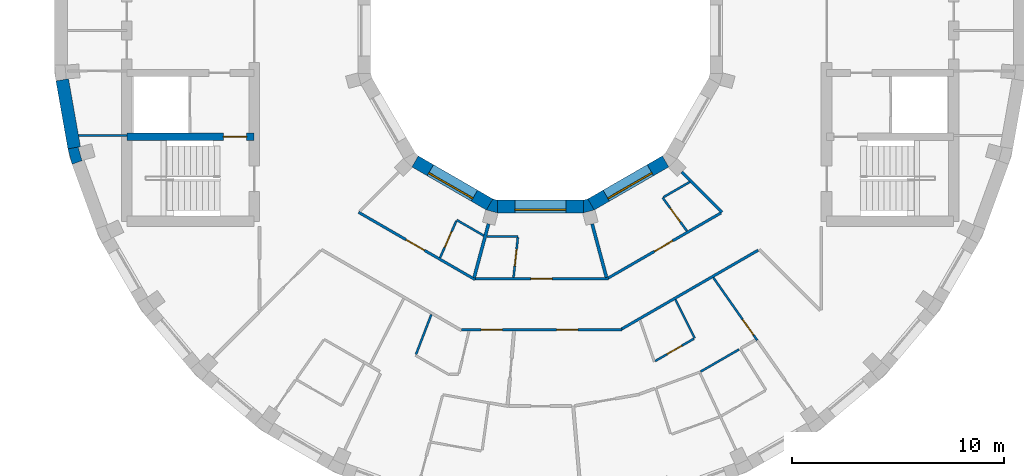
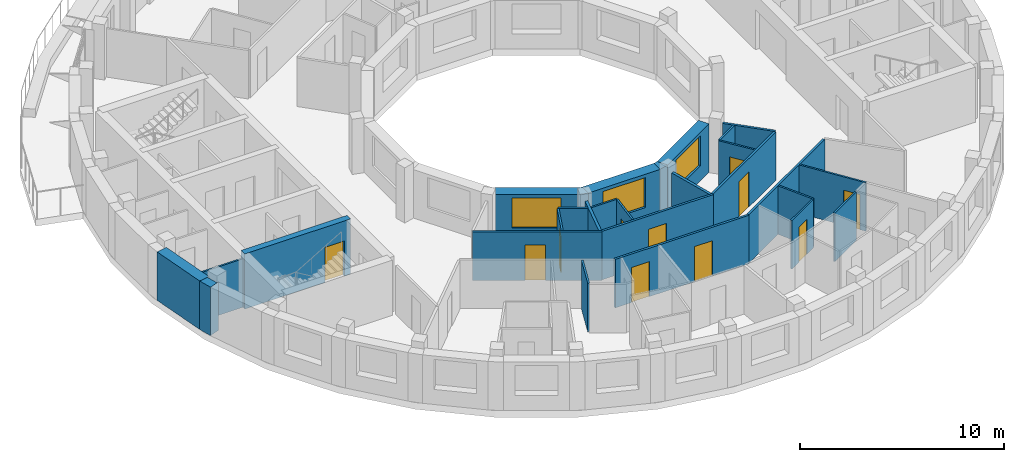
# One storey, part 5 of 12: 28 walls, 11 doors, 3 windows, 14 openings.
"""IFC4 building model written with IfcOpenShell, lengths in metres."""

from ifc_helpers import new_model, si_unit, direction, frame, frame_2d, origin, place, context, subcontext, project, spatial, polyline, rectangle, outline, extrude, material, layer, layer_set, type_object, element, fill, save


model = new_model("IFC4")

# Units and contexts
model_context = context("Model", 3, precision=1e-05, world=origin(), true_north=direction((0.0, 1.0)))
body_context = subcontext(model_context, "Body", "Model", "MODEL_VIEW")
ifc_project = project(units=[si_unit("LENGTHUNIT", "METRE"), si_unit("AREAUNIT", "SQUARE_METRE"), si_unit("VOLUMEUNIT", "CUBIC_METRE"), si_unit("PLANEANGLEUNIT", "RADIAN"), si_unit("MASSUNIT", "GRAM", prefix="KILO")], contexts=[model_context])

# Site, building, storey
site_placement = place(None, origin())
site = spatial("IfcSite", under=ifc_project, at=site_placement, CompositionType="ELEMENT")
building_placement = place(site_placement, origin())
building = spatial("IfcBuilding", under=site, at=building_placement, Name="Saqina Gate Tower", CompositionType="ELEMENT")
storey_placement = place(building_placement, frame((0.0, 0.0, 229.699951171875)))
storey = spatial("IfcBuildingStorey", under=building, at=storey_placement, Name="L65", CompositionType="ELEMENT", Elevation=229.699951171875)

# Walls
ifc_material_1 = material(Name="Brick masonry (buff)", Category="masonry")
wall_type_1 = type_object("IfcWallType", Name="BRICK PIER COPING BUFF", PredefinedType="SOLIDWALL", material=ifc_material_1)
wall_1_placement = place(storey_placement, origin())
element("IfcWall", 1, at=wall_1_placement, inside=storey, type_object=wall_type_1, Name="Pier cap L65 column 20", PredefinedType="SOLIDWALL", context=body_context, shape_type="SweptSolid", body=[
    extrude(outline(polyline([(-22.0869140625, -6.30859375), (-21.52294921875, -6.103515625), (-21.625, -6.130859375), (-21.793212890625, -5.5029296875), (-21.691162109375, -5.4755859375), (-22.281982421875, -5.579833984375), (-22.0869140625, -6.30859375)])), origin(), (0.0, 0.0, 1.0), 2.900146484375),
])
ifc_material_2 = material(Name="Gypsum board on steel studs", Category="steel")
ifc_layer_1 = layer(ifc_material_2, 0.10009765625)
ifc_layer_set_1 = layer_set([ifc_layer_1], Name="CORE PARTITION")
wall_type_2 = type_object("IfcWallType", Name="CORE PARTITION", PredefinedType="PARTITIONING", material=ifc_layer_set_1)
wall_2_placement = place(storey_placement, frame((-19.5, -4.949951171875, 0.0), z_axis=(0.0, 0.0, 1.0), x_axis=(-1.0, 0.0, 0.0)))
element("IfcWall", 2, at=wall_2_placement, inside=storey, type_object=wall_type_2, Name="L65-CP-W04", PredefinedType="PARTITIONING", context=body_context, shape_type="SweptSolid", body=[
    extrude(rectangle(XDim=2.283935546875, YDim=0.10009765625, at=frame_2d((1.14208984375, 0.0))), origin(), (0.0, 0.0, 1.0), 2.900146484375),
])
ifc_material_3 = material(Name="Glazed ceramic tile (white)", Category="ceramic")
ifc_layer_2 = layer(ifc_material_3, 0.60009765625)
ifc_layer_set_2 = layer_set([ifc_layer_2], Name="FW-TILE-WH")
wall_type_3 = type_object("IfcWallType", Name="FW-TILE-WH", PredefinedType="SOLIDWALL", material=ifc_layer_set_2)
wall_3_placement = place(storey_placement, frame((-22.55126953125, -2.325439453125, 0.0), z_axis=(0.0, 0.0, 1.0), x_axis=(0.173656842178, -0.984806225186, 0.0)))
element("IfcWall", 3, at=wall_3_placement, inside=storey, type_object=wall_type_3, Name="Facade wall L65 facet 19", PredefinedType="SOLIDWALL", context=body_context, shape_type="SweptSolid", body=[
    extrude(rectangle(XDim=3.251708984375, YDim=0.60009765625, at=frame_2d((1.6259765625, 0.0))), origin(), (0.0, 0.0, 1.0), 2.900146484375),
])

# Wall, opening, window
ifc_material_4 = material(Name="Glazed ceramic tile", Category="ceramic")
ifc_layer_3 = layer(ifc_material_4, 0.60009765625)
ifc_layer_set_3 = layer_set([ifc_layer_3], Name="IW-TILE")
wall_type_4 = type_object("IfcWallType", Name="IW-TILE", PredefinedType="SOLIDWALL", material=ifc_layer_set_3)
wall_4_placement = place(storey_placement, frame((-5.907470703125, -6.17333984375, 0.0), z_axis=(0.0, 0.0, 1.0), x_axis=(0.866028316509, -0.499994954979, 0.0)))
wall_4 = element("IfcWall", 4, at=wall_4_placement, inside=storey, type_object=wall_type_4, Name="Well wall L65 facet 8", PredefinedType="SOLIDWALL", context=body_context, shape_type="SweptSolid", body=[
    extrude(rectangle(XDim=4.05859375, YDim=0.60009765625, at=frame_2d((2.029296875, 0.0))), origin(), (0.0, 0.0, 1.0), 2.900146484375),
])
opening_1_placement = place(wall_4_placement, frame((0.829345703125, 0.0, 0.89990234375)))
opening_1 = element("IfcOpeningElement", 5, at=opening_1_placement, cuts=wall_4, Name="Opening G19-W30", PredefinedType="OPENING", context=body_context, shape_type="SweptSolid", body=[
    extrude(rectangle(XDim=2.39990234375, YDim=1.800048828125, at=frame_2d((1.199951171875, 0.89990234375))), frame((0.0, 0.31201171875, 0.0), z_axis=(0.0, -1.0, 0.0), x_axis=(1.0, 0.0, 0.0)), (0.0, 0.0, 1.0), 0.6240234375),
])
ifc_material_5 = material(Name="Aluminium glazing", Category="aluminium")
window_type = type_object("IfcWindowType", Name="WN-W", PartitioningType="SINGLE_PANEL", PredefinedType="WINDOW", material=ifc_material_5)
window_1_placement = place(opening_1_placement, origin())
window_1 = element("IfcWindow", 6, at=window_1_placement, inside=storey, type_object=window_type, Name="Well window L65 facet 8", OverallHeight=1.800048828125, OverallWidth=2.39990234375, PartitioningType="SINGLE_PANEL", PredefinedType="WINDOW", context=body_context, shape_type="SweptSolid", body=[
    extrude(rectangle(XDim=2.39990234375, YDim=1.800048828125, at=frame_2d((1.199951171875, 0.89990234375))), frame((0.0, -0.119873046875, 0.0), z_axis=(0.0, -1.0, 0.0), x_axis=(1.0, 0.0, 0.0)), (0.0, 0.0, 1.0), 0.06005859375),
])
fill(opening_1, window_1)

wall_5_placement = place(storey_placement, frame((-2.029296875, -8.300048828125, 0.0), z_axis=(0.0, 0.0, 1.0), x_axis=(1.0, 0.0, 0.0)))
wall_5 = element("IfcWall", 7, at=wall_5_placement, inside=storey, type_object=wall_type_4, Name="Well wall L65 facet 9", PredefinedType="SOLIDWALL", context=body_context, shape_type="SweptSolid", body=[
    extrude(rectangle(XDim=4.05859375, YDim=0.60009765625, at=frame_2d((2.029296875, 0.0))), origin(), (0.0, 0.0, 1.0), 2.900146484375),
])
opening_2_placement = place(wall_5_placement, frame((0.829345703125, 0.0, 0.89990234375)))
opening_2 = element("IfcOpeningElement", 8, at=opening_2_placement, cuts=wall_5, Name="Opening G19-W31", PredefinedType="OPENING", context=body_context, shape_type="SweptSolid", body=[
    extrude(rectangle(XDim=2.39990234375, YDim=1.800048828125, at=frame_2d((1.199951171875, 0.89990234375))), frame((0.0, 0.31201171875, 0.0), z_axis=(0.0, -1.0, 0.0), x_axis=(1.0, 0.0, 0.0)), (0.0, 0.0, 1.0), 0.6240234375),
])
window_2_placement = place(opening_2_placement, origin())
window_2 = element("IfcWindow", 9, at=window_2_placement, inside=storey, type_object=window_type, Name="Well window L65 facet 9", OverallHeight=1.800048828125, OverallWidth=2.39990234375, PartitioningType="SINGLE_PANEL", PredefinedType="WINDOW", context=body_context, shape_type="SweptSolid", body=[
    extrude(rectangle(XDim=2.39990234375, YDim=1.800048828125, at=frame_2d((1.199951171875, 0.89990234375))), frame((0.0, -0.119873046875, 0.0), z_axis=(0.0, -1.0, 0.0), x_axis=(1.0, 0.0, 0.0)), (0.0, 0.0, 1.0), 0.06005859375),
])
fill(opening_2, window_2)

wall_6_placement = place(storey_placement, frame((2.392578125, -8.20263671875, 0.0), z_axis=(0.0, 0.0, 1.0), x_axis=(0.866028316509, 0.499994954979, 0.0)))
wall_6 = element("IfcWall", 10, at=wall_6_placement, inside=storey, type_object=wall_type_4, Name="Well wall L65 facet 10", PredefinedType="SOLIDWALL", context=body_context, shape_type="SweptSolid", body=[
    extrude(rectangle(XDim=4.05859375, YDim=0.60009765625, at=frame_2d((2.029296875, 0.0))), origin(), (0.0, 0.0, 1.0), 2.900146484375),
])
opening_3_placement = place(wall_6_placement, frame((0.829345703125, 0.0, 0.89990234375)))
opening_3 = element("IfcOpeningElement", 11, at=opening_3_placement, cuts=wall_6, Name="Opening G19-W32", PredefinedType="OPENING", context=body_context, shape_type="SweptSolid", body=[
    extrude(rectangle(XDim=2.39990234375, YDim=1.800048828125, at=frame_2d((1.199951171875, 0.89990234375))), frame((0.0, 0.31201171875, 0.0), z_axis=(0.0, -1.0, 0.0), x_axis=(1.0, 0.0, 0.0)), (0.0, 0.0, 1.0), 0.6240234375),
])
window_3_placement = place(opening_3_placement, origin())
window_3 = element("IfcWindow", 12, at=window_3_placement, inside=storey, type_object=window_type, Name="Well window L65 facet 10", OverallHeight=1.800048828125, OverallWidth=2.39990234375, PartitioningType="SINGLE_PANEL", PredefinedType="WINDOW", context=body_context, shape_type="SweptSolid", body=[
    extrude(rectangle(XDim=2.39990234375, YDim=1.800048828125, at=frame_2d((1.199951171875, 0.89990234375))), frame((0.0, -0.119873046875, 0.0), z_axis=(0.0, -1.0, 0.0), x_axis=(1.0, 0.0, 0.0)), (0.0, 0.0, 1.0), 0.06005859375),
])
fill(opening_3, window_3)

# Wall
ifc_material_6 = material(Name="Gypsum board on steel studs, 100 mm", Category="steel")
ifc_layer_4 = layer(ifc_material_6, 0.10009765625)
ifc_layer_set_4 = layer_set([ifc_layer_4], Name="PARTITION 100")
wall_type_5 = type_object("IfcWallType", Name="PARTITION 100", PredefinedType="PARTITIONING", material=ifc_layer_set_4)
wall_7_placement = place(storey_placement, frame((6.369140625, -12.687744140625, 0.0), z_axis=(0.0, 0.0, 1.0), x_axis=(0.448648311547, -0.893708393463, 0.0)))
element("IfcWall", 13, at=wall_7_placement, inside=storey, type_object=wall_type_5, Name="PARTITION PW3-07", PredefinedType="PARTITIONING", context=body_context, shape_type="SweptSolid", body=[
    extrude(rectangle(XDim=2.041259765625, YDim=0.10009765625, at=frame_2d((1.0205078125, 0.0))), origin(), (0.0, 0.0, 1.0), 2.900146484375),
])

# Wall, opening, door
wall_8_placement = place(storey_placement, frame((8.15966796875, -11.653564453125, 0.0), z_axis=(0.0, 0.0, 1.0), x_axis=(0.573580547772, -0.819149165426, 0.0)))
wall_8 = element("IfcWall", 14, at=wall_8_placement, inside=storey, type_object=wall_type_5, Name="PARTITION PW3-09", PredefinedType="PARTITIONING", context=body_context, shape_type="SweptSolid", body=[
    extrude(rectangle(XDim=3.60400390625, YDim=0.10009765625, at=frame_2d((1.802001953125, 0.0))), origin(), (0.0, 0.0, 1.0), 2.900146484375),
])
opening_4_placement = place(wall_8_placement, frame((2.40478515625, 0.0, 0.0)))
opening_4 = element("IfcOpeningElement", 15, at=opening_4_placement, cuts=wall_8, Name="Opening G19-D42", PredefinedType="OPENING", context=body_context, shape_type="SweptSolid", body=[
    extrude(rectangle(XDim=0.89990234375, YDim=2.10009765625, at=frame_2d((0.449951171875, 1.050048828125))), frame((0.0, 0.06201171875, 0.0), z_axis=(0.0, -1.0, 0.0), x_axis=(1.0, 0.0, 0.0)), (0.0, 0.0, 1.0), 0.1240234375),
])
ifc_material_7 = material(Name="Timber door leaf, 900 mm", Category="wood")
door_type_1 = type_object("IfcDoorType", Name="DOOR 900 TIMBER", OperationType="SINGLE_SWING_LEFT", PredefinedType="DOOR", material=ifc_material_7)
door_1_placement = place(opening_4_placement, origin())
door_1 = element("IfcDoor", 16, at=door_1_placement, inside=storey, type_object=door_type_1, Name="DOOR G19-D42", OperationType="SINGLE_SWING_RIGHT", OverallHeight=2.10009765625, OverallWidth=0.89990234375, PredefinedType="DOOR", context=body_context, shape_type="SweptSolid", body=[
    extrude(rectangle(XDim=0.89990234375, YDim=2.10009765625, at=frame_2d((0.449951171875, 1.050048828125))), frame((0.0, 0.02490234375, 0.0), z_axis=(0.0, -1.0, 0.0), x_axis=(1.0, 0.0, 0.0)), (0.0, 0.0, 1.0), 0.050048828125),
])
fill(opening_4, door_1)

wall_9_placement = place(storey_placement, frame((5.76708984375, -7.882080078125, 0.0), z_axis=(0.0, 0.0, 1.0), x_axis=(0.590418468895, -0.807097287561, 0.0)))
wall_9 = element("IfcWall", 17, at=wall_9_placement, inside=storey, type_object=wall_type_5, Name="PARTITION PW3-11", PredefinedType="PARTITIONING", context=body_context, shape_type="SweptSolid", body=[
    extrude(rectangle(XDim=1.94921875, YDim=0.10009765625, at=frame_2d((0.974609375, 0.0))), origin(), (0.0, 0.0, 1.0), 2.900146484375),
])
opening_5_placement = place(wall_9_placement, frame((0.606201171875, 0.0, 0.0)))
opening_5 = element("IfcOpeningElement", 18, at=opening_5_placement, cuts=wall_9, Name="Opening G19-D44", PredefinedType="OPENING", context=body_context, shape_type="SweptSolid", body=[
    extrude(rectangle(XDim=0.800048828125, YDim=2.10009765625, at=frame_2d((0.39990234375, 1.050048828125))), frame((0.0, 0.06201171875, 0.0), z_axis=(0.0, -1.0, 0.0), x_axis=(1.0, 0.0, 0.0)), (0.0, 0.0, 1.0), 0.1240234375),
])
ifc_material_8 = material(Name="Timber door leaf, 800 mm", Category="wood")
door_type_2 = type_object("IfcDoorType", Name="DOOR 800 TIMBER", OperationType="SINGLE_SWING_LEFT", PredefinedType="DOOR", material=ifc_material_8)
door_2_placement = place(opening_5_placement, frame((0.800048828125, 0.0, 0.0), z_axis=(0.0, 0.0, 1.0), x_axis=(-1.0, 0.0, 0.0)))
door_2 = element("IfcDoor", 19, at=door_2_placement, inside=storey, type_object=door_type_2, Name="DOOR G19-D44", OperationType="SINGLE_SWING_LEFT", OverallHeight=2.10009765625, OverallWidth=0.800048828125, PredefinedType="DOOR", context=body_context, shape_type="SweptSolid", body=[
    extrude(rectangle(XDim=0.800048828125, YDim=2.10009765625, at=frame_2d((0.39990234375, 1.050048828125))), frame((0.0, 0.02490234375, 0.0), z_axis=(0.0, -1.0, 0.0), x_axis=(1.0, 0.0, 0.0)), (0.0, 0.0, 1.0), 0.050048828125),
])
fill(opening_5, door_2)

# Walls
wall_10_placement = place(storey_placement, frame((-3.943115234375, -8.93603515625, 0.0), z_axis=(0.0, 0.0, 1.0), x_axis=(0.866083503307, -0.499899355171, 0.0)))
element("IfcWall", 20, at=wall_10_placement, inside=storey, type_object=wall_type_5, Name="PARTITION PW3-16", PredefinedType="PARTITIONING", context=body_context, shape_type="SweptSolid", body=[
    extrude(rectangle(XDim=1.473388671875, YDim=0.10009765625, at=frame_2d((0.73681640625, 0.0))), origin(), (0.0, 0.0, 1.0), 2.900146484375),
])
wall_11_placement = place(storey_placement, frame((-2.527099609375, -9.7099609375, 0.0), z_axis=(0.0, 0.0, 1.0), x_axis=(1.0, 0.0, 0.0)))
element("IfcWall", 21, at=wall_11_placement, inside=storey, type_object=wall_type_5, Name="PARTITION PW3-26", PredefinedType="PARTITIONING", context=body_context, shape_type="SweptSolid", body=[
    extrude(rectangle(XDim=1.47314453125, YDim=0.10009765625, at=frame_2d((0.736572265625, 0.0))), origin(), (0.0, 0.0, 1.0), 2.900146484375),
])
wall_12_placement = place(storey_placement, frame((7.557373046875, -16.089111328125, 0.0), z_axis=(0.0, 0.0, 1.0), x_axis=(0.866022320763, 0.500005339912, 0.0)))
element("IfcWall", 22, at=wall_12_placement, inside=storey, type_object=wall_type_5, Name="PARTITION PW3-34", PredefinedType="PARTITIONING", context=body_context, shape_type="SweptSolid", body=[
    extrude(rectangle(XDim=2.091796875, YDim=0.10009765625, at=frame_2d((1.0458984375, 0.0))), origin(), (0.0, 0.0, 1.0), 2.900146484375),
])

# Wall, opening, door
wall_13_placement = place(storey_placement, frame((5.419189453125, -15.589111328125, 0.0), z_axis=(0.0, 0.0, 1.0), x_axis=(0.866071606143, 0.499919966627, 0.0)))
wall_13 = element("IfcWall", 23, at=wall_13_placement, inside=storey, type_object=wall_type_5, Name="PARTITION PW3-35", PredefinedType="PARTITIONING", context=body_context, shape_type="SweptSolid", body=[
    extrude(rectangle(XDim=2.104248046875, YDim=0.10009765625, at=frame_2d((1.05224609375, 0.0))), origin(), (0.0, 0.0, 1.0), 2.900146484375),
])
opening_6_placement = place(wall_13_placement, frame((0.652099609375, 0.0, 0.0)))
opening_6 = element("IfcOpeningElement", 24, at=opening_6_placement, cuts=wall_13, Name="Opening G19-D39", PredefinedType="OPENING", context=body_context, shape_type="SweptSolid", body=[
    extrude(rectangle(XDim=0.800048828125, YDim=2.10009765625, at=frame_2d((0.39990234375, 1.050048828125))), frame((0.0, 0.06201171875, 0.0), z_axis=(0.0, -1.0, 0.0), x_axis=(1.0, 0.0, 0.0)), (0.0, 0.0, 1.0), 0.1240234375),
])
door_3_placement = place(opening_6_placement, frame((0.800048828125, 0.0, 0.0), z_axis=(0.0, 0.0, 1.0), x_axis=(-1.0, 0.0, 0.0)))
door_3 = element("IfcDoor", 25, at=door_3_placement, inside=storey, type_object=door_type_2, Name="DOOR G19-D39", OperationType="SINGLE_SWING_RIGHT", OverallHeight=2.10009765625, OverallWidth=0.800048828125, PredefinedType="DOOR", context=body_context, shape_type="SweptSolid", body=[
    extrude(rectangle(XDim=0.800048828125, YDim=2.10009765625, at=frame_2d((0.39990234375, 1.050048828125))), frame((0.0, 0.02490234375, 0.0), z_axis=(0.0, -1.0, 0.0), x_axis=(1.0, 0.0, 0.0)), (0.0, 0.0, 1.0), 0.050048828125),
])
fill(opening_6, door_3)

# Wall
wall_14_placement = place(storey_placement, frame((5.810302734375, -7.85693359375, 0.0), z_axis=(0.0, 0.0, 1.0), x_axis=(0.866100656052, 0.499869636591, 0.0)))
element("IfcWall", 26, at=wall_14_placement, inside=storey, type_object=wall_type_5, Name="PARTITION PW3-36", PredefinedType="PARTITIONING", context=body_context, shape_type="SweptSolid", body=[
    extrude(rectangle(XDim=1.43603515625, YDim=0.10009765625, at=frame_2d((0.718017578125, 0.0))), origin(), (0.0, 0.0, 1.0), 2.900146484375),
])

# Wall, opening, door
wall_15_placement = place(storey_placement, frame((-4.729736328125, -10.71875, 0.0), z_axis=(0.0, 0.0, 1.0), x_axis=(0.403751002976, 0.914868912794, 0.0)))
wall_15 = element("IfcWall", 27, at=wall_15_placement, inside=storey, type_object=wall_type_5, Name="PARTITION PW3-45", PredefinedType="PARTITIONING", context=body_context, shape_type="SweptSolid", body=[
    extrude(rectangle(XDim=1.898681640625, YDim=0.10009765625, at=frame_2d((0.94921875, 0.0))), origin(), (0.0, 0.0, 1.0), 2.900146484375),
])
opening_7_placement = place(wall_15_placement, frame((0.543212890625, 0.0, 0.0)))
opening_7 = element("IfcOpeningElement", 28, at=opening_7_placement, cuts=wall_15, Name="Opening G19-D27", PredefinedType="OPENING", context=body_context, shape_type="SweptSolid", body=[
    extrude(rectangle(XDim=0.800048828125, YDim=2.10009765625, at=frame_2d((0.39990234375, 1.050048828125))), frame((0.0, 0.06201171875, 0.0), z_axis=(0.0, -1.0, 0.0), x_axis=(1.0, 0.0, 0.0)), (0.0, 0.0, 1.0), 0.1240234375),
])
door_4_placement = place(opening_7_placement, origin())
door_4 = element("IfcDoor", 29, at=door_4_placement, inside=storey, type_object=door_type_2, Name="DOOR G19-D27", OperationType="SINGLE_SWING_LEFT", OverallHeight=2.10009765625, OverallWidth=0.800048828125, PredefinedType="DOOR", context=body_context, shape_type="SweptSolid", body=[
    extrude(rectangle(XDim=0.800048828125, YDim=2.10009765625, at=frame_2d((0.39990234375, 1.050048828125))), frame((0.0, 0.02490234375, 0.0), z_axis=(0.0, -1.0, 0.0), x_axis=(1.0, 0.0, 0.0)), (0.0, 0.0, 1.0), 0.050048828125),
])
fill(opening_7, door_4)

# Wall
wall_16_placement = place(storey_placement, frame((-5.86474609375, -15.275146484375, 0.0), z_axis=(0.0, 0.0, 1.0), x_axis=(0.358857215778, 0.93339246766, 0.0)))
element("IfcWall", 30, at=wall_16_placement, inside=storey, type_object=wall_type_5, Name="PARTITION PW3-46", PredefinedType="PARTITIONING", context=body_context, shape_type="SweptSolid", body=[
    extrude(rectangle(XDim=2.013671875, YDim=0.10009765625, at=frame_2d((1.0068359375, 0.0))), origin(), (0.0, 0.0, 1.0), 2.900146484375),
])

# Wall, opening, door
wall_17_placement = place(storey_placement, frame((-1.26416015625, -11.64794921875, 0.0), z_axis=(0.0, 0.0, 1.0), x_axis=(0.107849279517, 0.994167256003, 0.0)))
wall_17 = element("IfcWall", 31, at=wall_17_placement, inside=storey, type_object=wall_type_5, Name="PARTITION PW3-53", PredefinedType="PARTITIONING", context=body_context, shape_type="SweptSolid", body=[
    extrude(rectangle(XDim=1.899169921875, YDim=0.10009765625, at=frame_2d((0.94970703125, 0.0))), origin(), (0.0, 0.0, 1.0), 2.900146484375),
])
opening_8_placement = place(wall_17_placement, frame((0.54345703125, 0.0, 0.0)))
opening_8 = element("IfcOpeningElement", 32, at=opening_8_placement, cuts=wall_17, Name="Opening G19-D32", PredefinedType="OPENING", context=body_context, shape_type="SweptSolid", body=[
    extrude(rectangle(XDim=0.800048828125, YDim=2.10009765625, at=frame_2d((0.39990234375, 1.050048828125))), frame((0.0, 0.06201171875, 0.0), z_axis=(0.0, -1.0, 0.0), x_axis=(1.0, 0.0, 0.0)), (0.0, 0.0, 1.0), 0.1240234375),
])
door_5_placement = place(opening_8_placement, frame((0.800048828125, 0.0, 0.0), z_axis=(0.0, 0.0, 1.0), x_axis=(-1.0, 0.0, 0.0)))
door_5 = element("IfcDoor", 33, at=door_5_placement, inside=storey, type_object=door_type_2, Name="DOOR G19-D32", OperationType="SINGLE_SWING_RIGHT", OverallHeight=2.10009765625, OverallWidth=0.800048828125, PredefinedType="DOOR", context=body_context, shape_type="SweptSolid", body=[
    extrude(rectangle(XDim=0.800048828125, YDim=2.10009765625, at=frame_2d((0.39990234375, 1.050048828125))), frame((0.0, 0.02490234375, 0.0), z_axis=(0.0, -1.0, 0.0), x_axis=(1.0, 0.0, 0.0)), (0.0, 0.0, 1.0), 0.050048828125),
])
fill(opening_8, door_5)

# Wall
ifc_material_9 = material(Name="Gypsum board on steel studs, 125 mm, fire rated", Category="steel")
ifc_layer_5 = layer(ifc_material_9, 0.125)
ifc_layer_set_5 = layer_set([ifc_layer_5], Name="PARTITION EI 30 125")
wall_type_6 = type_object("IfcWallType", Name="PARTITION EI 30 125", PredefinedType="PARTITIONING", material=ifc_layer_set_5)
wall_18_placement = place(storey_placement, frame((6.6767578125, -6.6767578125, 0.0), z_axis=(0.0, 0.0, 1.0), x_axis=(0.707106781187, -0.707106781187, 0.0)))
element("IfcWall", 34, at=wall_18_placement, inside=storey, type_object=wall_type_6, Name="PARTITION PW1-06", PredefinedType="PARTITIONING", context=body_context, shape_type="SweptSolid", body=[
    extrude(rectangle(XDim=2.680419921875, YDim=0.125, at=frame_2d((1.34033203125, 0.0))), origin(), (0.0, 0.0, 1.0), 2.900146484375),
])

# Wall, opening, door
wall_19_placement = place(storey_placement, frame((-8.572021484375, -8.572021484375, 0.0), z_axis=(0.0, 0.0, 1.0), x_axis=(0.865983161714, -0.500073158277, 0.0)))
wall_19 = element("IfcWall", 35, at=wall_19_placement, inside=storey, type_object=wall_type_6, Name="PARTITION PW1-10", PredefinedType="PARTITIONING", context=body_context, shape_type="SweptSolid", body=[
    extrude(rectangle(XDim=6.34716796875, YDim=0.125, at=frame_2d((3.173583984375, 0.0))), origin(), (0.0, 0.0, 1.0), 2.900146484375),
])
opening_9_placement = place(wall_19_placement, frame((2.586669921875, 0.0, 0.0)))
opening_9 = element("IfcOpeningElement", 36, at=opening_9_placement, cuts=wall_19, Name="Opening G19-D26", PredefinedType="OPENING", context=body_context, shape_type="SweptSolid", body=[
    extrude(rectangle(XDim=1.0, YDim=2.10009765625, at=frame_2d((0.5, 1.050048828125))), frame((0.0, 0.074462890625, 0.0), z_axis=(0.0, -1.0, 0.0), x_axis=(1.0, 0.0, 0.0)), (0.0, 0.0, 1.0), 0.14892578125),
])
ifc_material_10 = material(Name="Fire door leaf EI 30, 1000 mm")
door_type_3 = type_object("IfcDoorType", Name="DOOR 1000 EI 30", OperationType="SINGLE_SWING_LEFT", PredefinedType="DOOR", material=ifc_material_10)
door_6_placement = place(opening_9_placement, origin())
door_6 = element("IfcDoor", 37, at=door_6_placement, inside=storey, type_object=door_type_3, Name="DOOR G19-D26", OperationType="SINGLE_SWING_LEFT", OverallHeight=2.10009765625, OverallWidth=1.0, PredefinedType="DOOR", context=body_context, shape_type="SweptSolid", body=[
    extrude(rectangle(XDim=1.0, YDim=2.10009765625, at=frame_2d((0.5, 1.050048828125))), frame((0.0, 0.02490234375, 0.0), z_axis=(0.0, -1.0, 0.0), x_axis=(1.0, 0.0, 0.0)), (0.0, 0.0, 1.0), 0.050048828125),
])
fill(opening_9, door_6)

# Wall, openings, doors
wall_20_placement = place(storey_placement, frame((-3.718505859375, -14.110107421875, 0.0), z_axis=(0.0, 0.0, 1.0), x_axis=(1.0, 0.0, 0.0)))
wall_20 = element("IfcWall", 38, at=wall_20_placement, inside=storey, type_object=wall_type_6, Name="PARTITION PW1-17", PredefinedType="PARTITIONING", context=body_context, shape_type="SweptSolid", body=[
    extrude(rectangle(XDim=7.57177734375, YDim=0.125, at=frame_2d((3.785888671875, 0.0))), origin(), (0.0, 0.0, 1.0), 2.900146484375),
])
opening_10_placement = place(wall_20_placement, frame((0.926025390625, 0.0, 0.0)))
opening_10 = element("IfcOpeningElement", 39, at=opening_10_placement, cuts=wall_20, Name="Opening G19-D31", PredefinedType="OPENING", context=body_context, shape_type="SweptSolid", body=[
    extrude(rectangle(XDim=1.0, YDim=2.10009765625, at=frame_2d((0.5, 1.050048828125))), frame((0.0, 0.074462890625, 0.0), z_axis=(0.0, -1.0, 0.0), x_axis=(1.0, 0.0, 0.0)), (0.0, 0.0, 1.0), 0.14892578125),
])
opening_11_placement = place(wall_20_placement, frame((4.491943359375, 0.0, 0.0)))
opening_11 = element("IfcOpeningElement", 40, at=opening_11_placement, cuts=wall_20, Name="Opening G19-D36", PredefinedType="OPENING", context=body_context, shape_type="SweptSolid", body=[
    extrude(rectangle(XDim=1.0, YDim=2.10009765625, at=frame_2d((0.5, 1.050048828125))), frame((0.0, 0.074462890625, 0.0), z_axis=(0.0, -1.0, 0.0), x_axis=(1.0, 0.0, 0.0)), (0.0, 0.0, 1.0), 0.14892578125),
])
door_7_placement = place(opening_10_placement, frame((1.0, 0.0, 0.0), z_axis=(0.0, 0.0, 1.0), x_axis=(-1.0, 0.0, 0.0)))
door_7 = element("IfcDoor", 41, at=door_7_placement, inside=storey, type_object=door_type_3, Name="DOOR G19-D31", OperationType="SINGLE_SWING_LEFT", OverallHeight=2.10009765625, OverallWidth=1.0, PredefinedType="DOOR", context=body_context, shape_type="SweptSolid", body=[
    extrude(rectangle(XDim=1.0, YDim=2.10009765625, at=frame_2d((0.5, 1.050048828125))), frame((0.0, 0.02490234375, 0.0), z_axis=(0.0, -1.0, 0.0), x_axis=(1.0, 0.0, 0.0)), (0.0, 0.0, 1.0), 0.050048828125),
])
fill(opening_10, door_7)
door_8_placement = place(opening_11_placement, frame((1.0, 0.0, 0.0), z_axis=(0.0, 0.0, 1.0), x_axis=(-1.0, 0.0, 0.0)))
door_8 = element("IfcDoor", 42, at=door_8_placement, inside=storey, type_object=door_type_3, Name="DOOR G19-D36", OperationType="SINGLE_SWING_LEFT", OverallHeight=2.10009765625, OverallWidth=1.0, PredefinedType="DOOR", context=body_context, shape_type="SweptSolid", body=[
    extrude(rectangle(XDim=1.0, YDim=2.10009765625, at=frame_2d((0.5, 1.050048828125))), frame((0.0, 0.02490234375, 0.0), z_axis=(0.0, -1.0, 0.0), x_axis=(1.0, 0.0, 0.0)), (0.0, 0.0, 1.0), 0.050048828125),
])
fill(opening_11, door_8)

# Wall, opening, door
wall_21_placement = place(storey_placement, frame((-3.075439453125, -11.7099609375, 0.0), z_axis=(0.0, 0.0, 1.0), x_axis=(1.0, 0.0, 0.0)))
wall_21 = element("IfcWall", 43, at=wall_21_placement, inside=storey, type_object=wall_type_6, Name="PARTITION PW1-18", PredefinedType="PARTITIONING", context=body_context, shape_type="SweptSolid", body=[
    extrude(rectangle(XDim=6.300048828125, YDim=0.125, at=frame_2d((3.14990234375, 0.0))), origin(), (0.0, 0.0, 1.0), 2.900146484375),
])
opening_12_placement = place(wall_21_placement, frame((2.6259765625, 0.0, 0.0)))
opening_12 = element("IfcOpeningElement", 44, at=opening_12_placement, cuts=wall_21, Name="Opening G19-D35", PredefinedType="OPENING", context=body_context, shape_type="SweptSolid", body=[
    extrude(rectangle(XDim=1.0, YDim=2.10009765625, at=frame_2d((0.5, 1.050048828125))), frame((0.0, 0.074462890625, 0.0), z_axis=(0.0, -1.0, 0.0), x_axis=(1.0, 0.0, 0.0)), (0.0, 0.0, 1.0), 0.14892578125),
])
door_9_placement = place(opening_12_placement, origin())
door_9 = element("IfcDoor", 45, at=door_9_placement, inside=storey, type_object=door_type_3, Name="DOOR G19-D35", OperationType="SINGLE_SWING_LEFT", OverallHeight=2.10009765625, OverallWidth=1.0, PredefinedType="DOOR", context=body_context, shape_type="SweptSolid", body=[
    extrude(rectangle(XDim=1.0, YDim=2.10009765625, at=frame_2d((0.5, 1.050048828125))), frame((0.0, 0.02490234375, 0.0), z_axis=(0.0, -1.0, 0.0), x_axis=(1.0, 0.0, 0.0)), (0.0, 0.0, 1.0), 0.050048828125),
])
fill(opening_12, door_9)

# Wall
wall_22_placement = place(storey_placement, frame((3.835205078125, -14.078857421875, 0.0), z_axis=(0.0, 0.0, 1.0), x_axis=(0.865993671729, 0.500054957505, 0.0)))
element("IfcWall", 46, at=wall_22_placement, inside=storey, type_object=wall_type_6, Name="PARTITION PW1-25", PredefinedType="PARTITIONING", context=body_context, shape_type="SweptSolid", body=[
    extrude(rectangle(XDim=7.436279296875, YDim=0.125, at=frame_2d((3.71826171875, 0.0))), origin(), (0.0, 0.0, 1.0), 2.900146484375),
])

# Wall, opening, door
wall_23_placement = place(storey_placement, frame((3.202880859375, -11.672607421875, 0.0), z_axis=(0.0, 0.0, 1.0), x_axis=(0.865972267571, 0.50009202333, 0.0)))
wall_23 = element("IfcWall", 47, at=wall_23_placement, inside=storey, type_object=wall_type_6, Name="PARTITION PW1-26", PredefinedType="PARTITIONING", context=body_context, shape_type="SweptSolid", body=[
    extrude(rectangle(XDim=6.137451171875, YDim=0.125, at=frame_2d((3.06884765625, 0.0))), origin(), (0.0, 0.0, 1.0), 2.900146484375),
])
opening_13_placement = place(wall_23_placement, frame((2.51171875, 0.0, 0.0)))
opening_13 = element("IfcOpeningElement", 48, at=opening_13_placement, cuts=wall_23, Name="Opening G19-D41", PredefinedType="OPENING", context=body_context, shape_type="SweptSolid", body=[
    extrude(rectangle(XDim=1.0, YDim=2.10009765625, at=frame_2d((0.5, 1.050048828125))), frame((0.0, 0.074462890625, 0.0), z_axis=(0.0, -1.0, 0.0), x_axis=(1.0, 0.0, 0.0)), (0.0, 0.0, 1.0), 0.14892578125),
])
door_10_placement = place(opening_13_placement, origin())
door_10 = element("IfcDoor", 49, at=door_10_placement, inside=storey, type_object=door_type_3, Name="DOOR G19-D41", OperationType="SINGLE_SWING_LEFT", OverallHeight=2.10009765625, OverallWidth=1.0, PredefinedType="DOOR", context=body_context, shape_type="SweptSolid", body=[
    extrude(rectangle(XDim=1.0, YDim=2.10009765625, at=frame_2d((0.5, 1.050048828125))), frame((0.0, 0.02490234375, 0.0), z_axis=(0.0, -1.0, 0.0), x_axis=(1.0, 0.0, 0.0)), (0.0, 0.0, 1.0), 0.050048828125),
])
fill(opening_13, door_10)

# Walls
ifc_material_11 = material(Name="Gypsum board on steel studs, 150 mm, fire rated", Category="steel")
ifc_layer_6 = layer(ifc_material_11, 0.14990234375)
ifc_layer_set_6 = layer_set([ifc_layer_6], Name="PARTITION EI 60 150")
wall_type_7 = type_object("IfcWallType", Name="PARTITION EI 60 150", PredefinedType="PARTITIONING", material=ifc_layer_set_6)
for number, where, z_axis, x_axis, name in (
    (50, (2.444091796875, -9.120361328125, 0.0), (0.0, 0.0, 1.0), (0.258823078531, -0.965924745526, 0.0), "PARTITION PW2-04"),
    (51, (-3.12158203125, -11.649658203125, 0.0), (0.0, 0.0, 1.0), (0.258736085224, 0.965948051503, 0.0), "PARTITION PW2-09"),
):
    element("IfcWall", number, at=place(storey_placement, frame(where, z_axis=z_axis, x_axis=x_axis)), inside=storey, type_object=wall_type_7, Name=name, PredefinedType="PARTITIONING", context=body_context, shape_type="SweptSolid", body=[
        extrude(rectangle(XDim=2.618408203125, YDim=0.14990234375, at=frame_2d((1.30908203125, 0.0))), origin(), (0.0, 0.0, 1.0), 2.900146484375),
    ])

# Wall, opening, door
ifc_material_12 = material(Name="Concrete C60/75", Category="concrete")
ifc_layer_7 = layer(ifc_material_12, 0.35009765625)
ifc_layer_set_7 = layer_set([ifc_layer_7], Name="Concrete C60/75")
wall_type_8 = type_object("IfcWallType", Name="STR-CORE WALL-D-I", PredefinedType="SHEAR", material=ifc_layer_set_7)
wall_24_placement = place(storey_placement, frame((-13.5, -5.0, 0.0), z_axis=(0.0, 0.0, 1.0), x_axis=(-1.0, 0.0, 0.0)))
wall_24 = element("IfcWall", 52, at=wall_24_placement, inside=storey, type_object=wall_type_8, Name="CORE WALL L65 W-X2", PredefinedType="SHEAR", context=body_context, shape_type="SweptSolid", body=[
    extrude(rectangle(XDim=6.0, YDim=0.35009765625, at=frame_2d((3.0, 0.0))), origin(), (0.0, 0.0, 1.0), 3.300048828125),
])
opening_14_placement = place(wall_24_placement, frame((0.35009765625, 0.0, 0.0)))
opening_14 = element("IfcOpeningElement", 53, at=opening_14_placement, cuts=wall_24, Name="Opening G19-D108", PredefinedType="OPENING", context=body_context, shape_type="SweptSolid", body=[
    extrude(rectangle(XDim=1.10009765625, YDim=2.10009765625, at=frame_2d((0.550048828125, 1.050048828125))), frame((0.0, 0.18701171875, 0.0), z_axis=(0.0, -1.0, 0.0), x_axis=(1.0, 0.0, 0.0)), (0.0, 0.0, 1.0), 0.3740234375),
])
ifc_material_13 = material(Name="Steel", Category="steel")
door_type_4 = type_object("IfcDoorType", Name="FIRE LOBBY DOOR EI 60 WIDE", OperationType="SINGLE_SWING_LEFT", PredefinedType="DOOR", material=ifc_material_13)
door_11_placement = place(opening_14_placement, origin())
door_11 = element("IfcDoor", 54, at=door_11_placement, inside=storey, type_object=door_type_4, Name="L65-CD-W19", OperationType="SINGLE_SWING_LEFT", OverallHeight=2.10009765625, OverallWidth=1.10009765625, PredefinedType="DOOR", context=body_context, shape_type="SweptSolid", body=[
    extrude(rectangle(XDim=1.10009765625, YDim=2.10009765625, at=frame_2d((0.550048828125, 1.050048828125))), frame((0.0, 0.02490234375, 0.0), z_axis=(0.0, -1.0, 0.0), x_axis=(1.0, 0.0, 0.0)), (0.0, 0.0, 1.0), 0.050048828125),
])
fill(opening_14, door_11)

# Walls
ifc_material_14 = material(Name="Glazed ceramic tile", Category="ceramic")
wall_type_9 = type_object("IfcWallType", Name="TILE PIER COPING", PredefinedType="SOLIDWALL", material=ifc_material_14)
wall_25_placement = place(storey_placement, origin())
element("IfcWall", 55, at=wall_25_placement, inside=storey, type_object=wall_type_9, Name="Well pier cap L65 column 9", PredefinedType="SOLIDWALL", context=body_context, shape_type="SweptSolid", body=[
    extrude(outline(polyline([(-2.029296875, -8.60009765625), (-2.029296875, -8.0), (-2.242431640625, -7.94287109375), (-2.54248046875, -8.46240234375), (-2.029296875, -8.60009765625)])), origin(), (0.0, 0.0, 1.0), 2.900146484375),
])
wall_26_placement = place(storey_placement, origin())
element("IfcWall", 56, at=wall_26_placement, inside=storey, type_object=wall_type_9, Name="Well pier cap L65 column 10", PredefinedType="SOLIDWALL", context=body_context, shape_type="SweptSolid", body=[
    extrude(outline(polyline([(2.54248046875, -8.46240234375), (2.242431640625, -7.94287109375), (2.029296875, -8.0), (2.029296875, -8.60009765625), (2.54248046875, -8.46240234375)])), origin(), (0.0, 0.0, 1.0), 2.900146484375),
])

save(model, "model.ifc")
